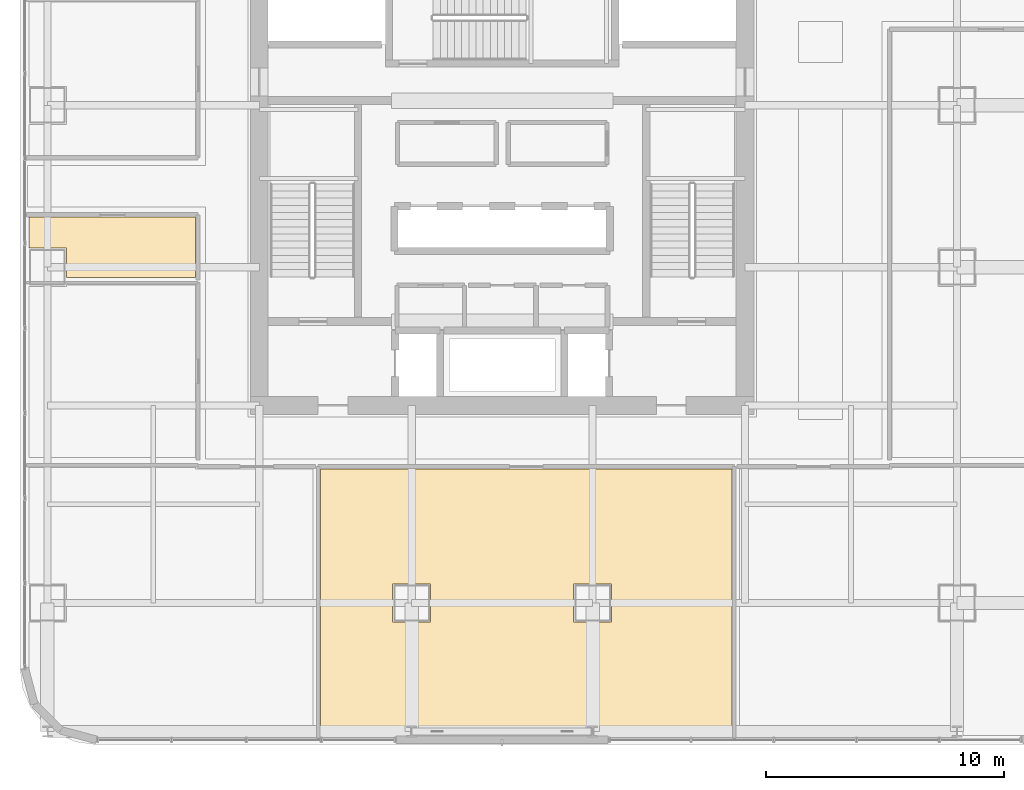
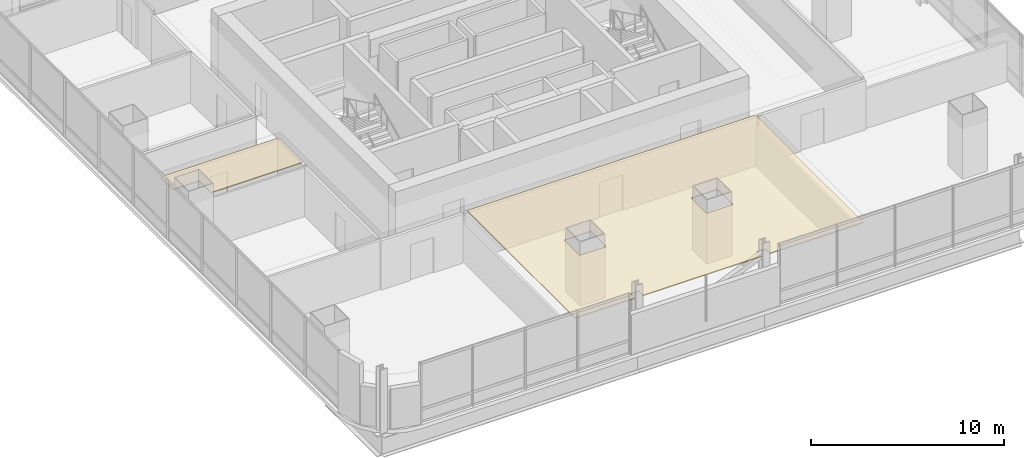
# One storey, part 34 of 40: 2 coverings.
"""IFC4 building model written with IfcOpenShell, lengths in metres."""

import ifcopenshell
import ifcopenshell.guid

model = None  # the IFC model being written
_history = None  # IfcOwnerHistory: only IFC2X3 demands one
_inside = {}  # id of a spatial element -> (the spatial element, [elements in it])
_under = {}  # id of a project, library or spatial element -> (it, [spatial elements below it])
_declared = {}  # id of a project -> (the project, [libraries it declares])
_typed = {}  # id of a type object -> (the type object, [elements of that type])
_made_of = {}  # id of a material, layer set ... -> (it, [elements and type objects made of it])


def new_model(schema):
    """Start an empty IFC model of exactly this schema.

    Asked for "IFC4X3", IfcOpenShell would pick the latest addendum, in which some entities
    have other attributes; the version numbers below select the first issue.
    IFC2X3 requires an IfcOwnerHistory on every rooted entity: one is made here for all.
    """
    global model, _history
    if schema == "IFC4X3":
        model = ifcopenshell.file(schema_version=(4, 3, 0, 0))
    else:
        model = ifcopenshell.file(schema=schema)
    _inside.clear()
    _under.clear()
    _declared.clear()
    _typed.clear()
    _made_of.clear()
    _history = None
    if model.schema == "IFC2X3":
        org = make("IfcOrganization", Name="unknown")
        user = make(
            "IfcPersonAndOrganization",
            ThePerson=make("IfcPerson", FamilyName="unknown"),
            TheOrganization=org,
        )
        app = make(
            "IfcApplication",
            ApplicationDeveloper=org,
            Version="unknown",
            ApplicationFullName="unknown",
            ApplicationIdentifier="unknown",
        )
        _history = make(
            "IfcOwnerHistory",
            OwningUser=user,
            OwningApplication=app,
            ChangeAction="ADDED",
            CreationDate=0,
        )
    return model


def make(cls, **values):
    """One entity of the class cls with the attributes given. An attribute that is None is left unset."""
    return model.create_entity(
        cls, **{name: value for name, value in values.items() if value is not None}
    )


def rooted(cls, **values):
    """An entity with a GlobalId (a new one), such as an element, a storey or a relation."""
    return make(cls, GlobalId=ifcopenshell.guid.new(), OwnerHistory=_history, **values)


def si_unit(unit_type, name, prefix=None):
    """IfcSIUnit, for example si_unit("LENGTHUNIT", "METRE", prefix="MILLI")."""
    return make("IfcSIUnit", UnitType=unit_type, Prefix=prefix, Name=name)


def assignment(units):
    """IfcUnitAssignment: the units of a project."""
    return None if units is None else make("IfcUnitAssignment", Units=units)


def point(xyz):
    """IfcCartesianPoint."""
    return None if xyz is None else make("IfcCartesianPoint", Coordinates=xyz)


def direction(xyz):
    """IfcDirection."""
    return None if xyz is None else make("IfcDirection", DirectionRatios=xyz)


def frame(location, z_axis=None, x_axis=None):
    """IfcAxis2Placement3D, a coordinate frame: its origin and axes. An axis left out is left unset."""
    return make(
        "IfcAxis2Placement3D",
        Location=point(location),
        Axis=direction(z_axis),
        RefDirection=direction(x_axis),
    )


def origin():
    """The frame at (0, 0, 0) with its axes left unset."""
    return frame((0.0, 0.0, 0.0))


def place(relative_to, where):
    """IfcLocalPlacement: puts the frame where relative to a parent placement (None: the world)."""
    return make(
        "IfcLocalPlacement", PlacementRelTo=relative_to, RelativePlacement=where
    )


def context(
    kind, dimensions, precision=None, world=None, true_north=None, identifier=None
):
    """IfcGeometricRepresentationContext, for example the 3D "Model" context."""
    return make(
        "IfcGeometricRepresentationContext",
        ContextIdentifier=identifier,
        ContextType=kind,
        CoordinateSpaceDimension=dimensions,
        Precision=precision,
        WorldCoordinateSystem=world,
        TrueNorth=true_north,
    )


def subcontext(parent, identifier, kind, view, scale=None):
    """IfcGeometricRepresentationSubContext, for example "Body" below "Model"."""
    return make(
        "IfcGeometricRepresentationSubContext",
        ContextIdentifier=identifier,
        ContextType=kind,
        ParentContext=parent,
        TargetScale=scale,
        TargetView=view,
    )


def project(units=None, contexts=None):
    """IfcProject with its units and contexts."""
    return rooted(
        "IfcProject",
        Name="project",
        RepresentationContexts=contexts,
        UnitsInContext=assignment(units),
    )


def spatial(cls, under=None, at=None, **own):
    """A site, building, storey or space (cls), placed at a placement, below another one or the project."""
    s = rooted(cls, ObjectPlacement=at, **own)
    if under is not None:
        _under.setdefault(under.id(), (under, []))[1].append(s)
    return s


def polyline(points):
    """IfcPolyline through the points."""
    return make("IfcPolyline", Points=[point(p) for p in points])


def outline(outer, holes=None, kind="AREA"):
    """IfcArbitraryClosedProfileDef: a profile drawn as a closed curve; with holes, ...WithVoids."""
    if holes is None:
        return make("IfcArbitraryClosedProfileDef", ProfileType=kind, OuterCurve=outer)
    return make(
        "IfcArbitraryProfileDefWithVoids",
        ProfileType=kind,
        OuterCurve=outer,
        InnerCurves=holes,
    )


def extrude(swept, where, along, depth):
    """IfcExtrudedAreaSolid: the profile swept, set in the frame where, extruded along a direction by depth."""
    return make(
        "IfcExtrudedAreaSolid",
        SweptArea=swept,
        Position=where,
        ExtrudedDirection=direction(along),
        Depth=depth,
    )


def shape(context_of_items, identifier, shape_type, items):
    """IfcShapeRepresentation: the items that make up one representation, for example the "Body"."""
    return make(
        "IfcShapeRepresentation",
        ContextOfItems=context_of_items,
        RepresentationIdentifier=identifier,
        RepresentationType=shape_type,
        Items=items,
    )


def material(Name=None, Category=None):
    """IfcMaterial."""
    return make("IfcMaterial", Name=Name, Category=Category)


def layer(
    of_material, thickness, ventilated=None, Name=None, Category=None, Priority=None
):
    """IfcMaterialLayer: one layer of a wall or slab, of a material (None: an air gap)."""
    return make(
        "IfcMaterialLayer",
        Material=of_material,
        LayerThickness=thickness,
        IsVentilated=ventilated,
        Name=Name,
        Category=Category,
        Priority=Priority,
    )


def layer_set(layers, Name=None):
    """IfcMaterialLayerSet."""
    return make("IfcMaterialLayerSet", MaterialLayers=layers, LayerSetName=Name)


def made_of(thing, what):
    """Note that an element or type object is made of a material, layer set ...; save() writes the relation."""
    if what is not None:
        _made_of.setdefault(what.id(), (what, []))[1].append(thing)
    return thing


def type_object(cls, material=None, **own):
    """A type object (cls), such as IfcWallType, which elements share."""
    return made_of(rooted(cls, **own), material)


def element(
    cls,
    number,
    at=None,
    inside=None,
    cuts=None,
    type_object=None,
    material=None,
    context=None,
    identifier="Body",
    shape_type=None,
    held_by="IfcProductDefinitionShape",
    body=None,
    shapes=None,
    **own,
):
    """One element of the class cls, such as IfcWall. Its Tag is "e" and its number.

    at: its placement. inside: the storey or other place that contains it. cuts: it is an
    opening in that element (IfcRelVoidsElement). A single representation is given by context,
    identifier, shape_type and body (its items); several are given by shapes. held_by: the class
    of the entity that holds the representations. save() writes the other relations.
    """
    e = rooted(cls, Tag="e%d" % number, ObjectPlacement=at, **own)
    if body is not None:
        shapes = [shape(context, identifier, shape_type, body)]
    if shapes is not None:
        e.Representation = make(held_by, Representations=shapes)
    if inside is not None:
        _inside.setdefault(inside.id(), (inside, []))[1].append(e)
    if cuts is not None:
        rooted(
            "IfcRelVoidsElement", RelatingBuildingElement=cuts, RelatedOpeningElement=e
        )
    if type_object is not None:
        _typed.setdefault(type_object.id(), (type_object, []))[1].append(e)
    return made_of(e, material)


def aggregate(whole, parts):
    """IfcRelAggregates: a whole, such as a stair, and the parts it consists of."""
    return rooted("IfcRelAggregates", RelatingObject=whole, RelatedObjects=parts)


def save(model, path):
    """Write the relations noted so far, then the file.

    IfcRelAggregates (storeys below a building ...), IfcRelContainedInSpatialStructure (elements
    in a storey), IfcRelDefinesByType, IfcRelAssociatesMaterial and IfcRelDeclares: one each for
    every whole, place, type object, material and project.
    """
    for whole, parts in _under.values():
        aggregate(whole, parts)
    for where, things in _inside.values():
        rooted(
            "IfcRelContainedInSpatialStructure",
            RelatedElements=things,
            RelatingStructure=where,
        )
    for kind, things in _typed.values():
        rooted("IfcRelDefinesByType", RelatedObjects=things, RelatingType=kind)
    for what, things in _made_of.values():
        rooted("IfcRelAssociatesMaterial", RelatedObjects=things, RelatingMaterial=what)
    for by, libraries in _declared.values():
        rooted("IfcRelDeclares", RelatingContext=by, RelatedDefinitions=libraries)
    model.write(path)


model = new_model("IFC4")

# Units and contexts
model_context = context("Model", 3, precision=1e-05, world=origin(), true_north=direction((0.0, 1.0)))
body_context = subcontext(model_context, "Body", "Model", "MODEL_VIEW")
ifc_project = project(units=[si_unit("LENGTHUNIT", "METRE"), si_unit("AREAUNIT", "SQUARE_METRE"), si_unit("VOLUMEUNIT", "CUBIC_METRE"), si_unit("PLANEANGLEUNIT", "RADIAN"), si_unit("MASSUNIT", "GRAM", prefix="KILO")], contexts=[model_context])

# Site, building, storey
site_placement = place(None, origin())
site = spatial("IfcSite", under=ifc_project, at=site_placement, CompositionType="ELEMENT")
building_placement = place(site_placement, origin())
building = spatial("IfcBuilding", under=site, at=building_placement, Name="Punatoya Terracotta Tower", CompositionType="ELEMENT")
storey_placement = place(building_placement, frame((0.0, 0.0, 76.800048828125)))
storey = spatial("IfcBuildingStorey", under=building, at=storey_placement, Name="L17", CompositionType="ELEMENT", Elevation=76.800048828125)

# Coverings
ifc_material = material(Name="Acoustic Mineral Fibre Ceiling")
ifc_layer = layer(ifc_material, 0.06005859375)
ifc_layer_set = layer_set([ifc_layer], Name="Acoustic Mineral Fibre Ceiling")
covering_type = type_object("IfcCoveringType", Name="COV-CEIL-60", PredefinedType="CEILING", material=ifc_layer_set)
covering_1_placement = place(storey_placement, frame((0.0, 0.0, 3.199951171875)))
element("IfcCovering", 1, at=covering_1_placement, inside=storey, type_object=covering_type, Name="L17 Plenary Seminar Room Acoustic Ceiling", PredefinedType="CEILING", context=body_context, shape_type="SweptSolid", body=[
    extrude(outline(polyline([(9.64794921875, -11.8701171875), (-7.6259765625, -11.8701171875), (-7.6259765625, -23.070068359375), (-4.05810546875, -23.070068359375), (-4.05810546875, -22.626953125), (-3.5419921875, -22.626953125), (-3.5419921875, -23.070068359375), (3.5419921875, -23.070068359375), (3.5419921875, -22.626953125), (4.05810546875, -22.626953125), (4.05810546875, -23.070068359375), (9.64794921875, -23.070068359375), (9.64794921875, -11.8701171875)]), holes=[polyline([(4.60009765625, -16.699951171875), (4.60009765625, -18.300048828125), (3.0, -18.300048828125), (3.0, -16.699951171875), (4.60009765625, -16.699951171875)]), polyline([(-4.60009765625, -16.699951171875), (-3.0, -16.699951171875), (-3.0, -18.300048828125), (-4.60009765625, -18.300048828125), (-4.60009765625, -16.699951171875)])]), origin(), (0.0, 0.0, 1.0), 0.06005859375),
])
covering_2_placement = place(storey_placement, frame((0.0, 0.0, 3.199951171875)))
element("IfcCovering", 2, at=covering_2_placement, inside=storey, type_object=covering_type, Name="L17 Open-Plan Breakout Tea Pantry Acoustic Ceiling", PredefinedType="CEILING", context=body_context, shape_type="SweptSolid", body=[
    extrude(outline(polyline([(-12.8701171875, -3.830078125), (-12.8701171875, -1.300048828125), (-19.8701171875, -1.300048828125), (-19.8701171875, -2.60009765625), (-18.300048828125, -2.60009765625), (-18.300048828125, -3.830078125), (-12.8701171875, -3.830078125)])), origin(), (0.0, 0.0, 1.0), 0.06005859375),
])

save(model, "model.ifc")
